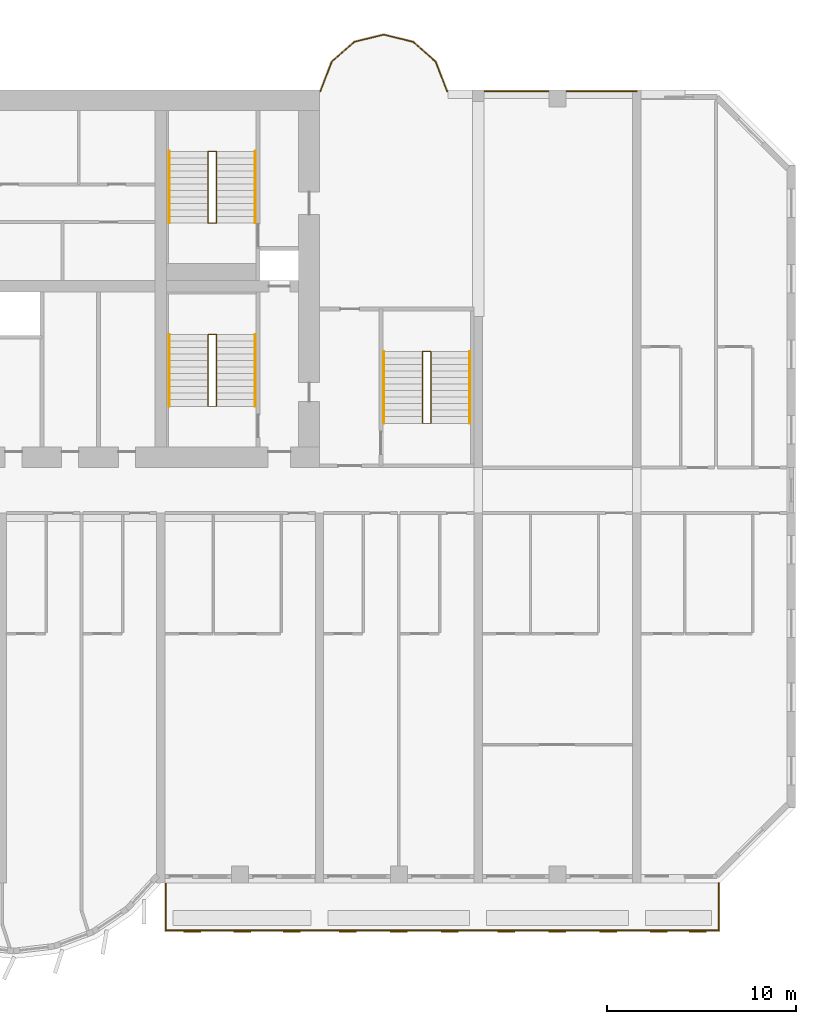
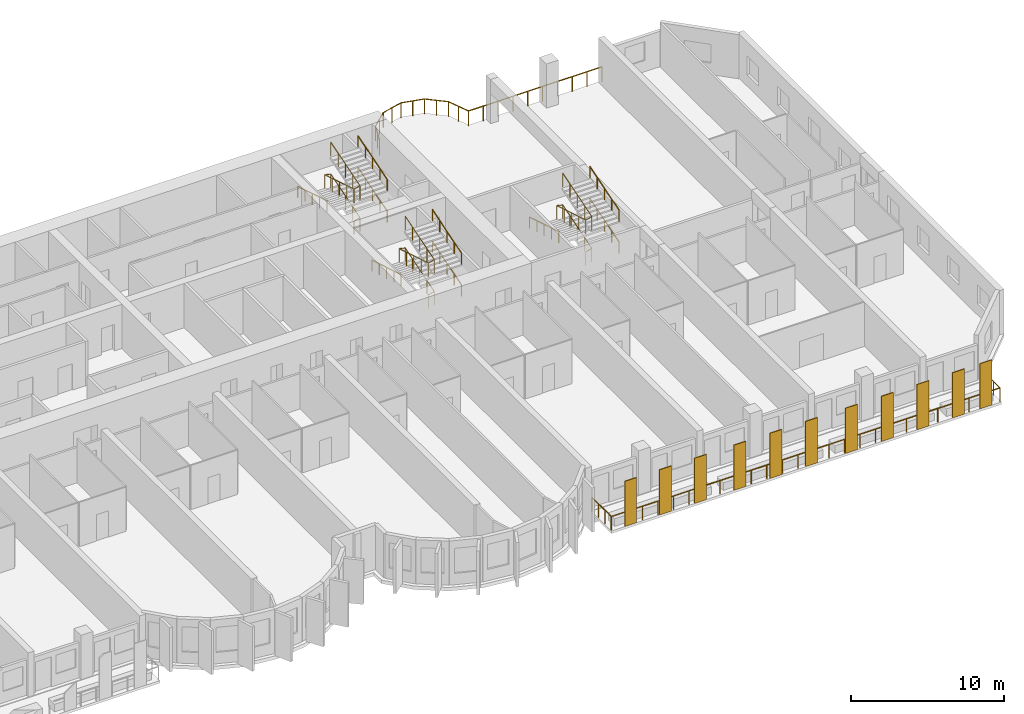
# One storey, part 13 of 14: 14 railings, 11 coverings.
"""IFC4 building model written with IfcOpenShell, lengths in metres."""

from ifc_helpers import new_model, si_unit, direction, frame, origin, origin_2d, place, context, subcontext, project, spatial, rectangle, circle, extrude, source, transform, mapped, material, layer, layer_set, type_object, element, save


model = new_model("IFC4")

# Units and contexts
model_context = context("Model", 3, precision=1e-05, world=origin(), true_north=direction((0.0, 1.0)))
body_context = subcontext(model_context, "Body", "Model", "MODEL_VIEW")
ifc_project = project(units=[si_unit("LENGTHUNIT", "METRE"), si_unit("AREAUNIT", "SQUARE_METRE"), si_unit("VOLUMEUNIT", "CUBIC_METRE"), si_unit("PLANEANGLEUNIT", "RADIAN"), si_unit("MASSUNIT", "GRAM", prefix="KILO")], contexts=[model_context])

# Site, building, storey
site_placement = place(None, origin())
site = spatial("IfcSite", under=ifc_project, at=site_placement, CompositionType="ELEMENT")
building_placement = place(site_placement, origin())
building = spatial("IfcBuilding", under=site, at=building_placement, Name="Vanashikhar Sky Hotel", CompositionType="ELEMENT")
storey_placement = place(building_placement, frame((0.0, 0.0, 43.0)))
storey = spatial("IfcBuildingStorey", under=building, at=storey_placement, Name="L09", CompositionType="ELEMENT", Elevation=43.0)

# Railing
ifc_material_1 = material(Name="Stainless steel 316", Category="steel")
railing_type_1 = type_object("IfcRailingType", Name="Balcony guard 1100", PredefinedType="GUARDRAIL", material=ifc_material_1)
shared_shape_1 = source(origin(), body_context, "Body", "SweptSolid", [
    extrude(circle(Radius=0.02392578125, at=origin_2d()), frame((0.0, 0.0, 1.076171875), z_axis=(0.0, -1.0, 0.0), x_axis=(1.0, 0.0, 0.0)), (0.0, 0.0, 1.0), 2.5),
    extrude(circle(Radius=0.02392578125, at=origin_2d()), frame((0.0, -2.5, 1.076171875), z_axis=(1.0, 0.0, 0.0), x_axis=(0.0, 1.0, 0.0)), (0.0, 0.0, 1.0), 29.280029296875),
    extrude(circle(Radius=0.02392578125, at=origin_2d()), frame((29.280029296875, -2.5, 1.076171875), z_axis=(0.0, 1.0, 0.0), x_axis=(-1.0, 0.0, 0.0)), (0.0, 0.0, 1.0), 2.5),
    extrude(circle(Radius=0.02099609375, at=origin_2d()), origin(), (0.0, 0.0, 1.0), 1.052001953125),
    extrude(circle(Radius=0.02099609375, at=origin_2d()), frame((0.0, -0.833251953125, 0.0)), (0.0, 0.0, 1.0), 1.052001953125),
    extrude(circle(Radius=0.02099609375, at=origin_2d()), frame((0.0, -1.666748046875, 0.0)), (0.0, 0.0, 1.0), 1.052001953125),
    extrude(circle(Radius=0.02099609375, at=origin_2d()), frame((0.0, -2.5, 0.0)), (0.0, 0.0, 1.0), 1.052001953125),
    extrude(circle(Radius=0.02099609375, at=origin_2d()), frame((1.171142578125, -2.5, 0.0)), (0.0, 0.0, 1.0), 1.052001953125),
    extrude(circle(Radius=0.02099609375, at=origin_2d()), frame((2.34228515625, -2.5, 0.0)), (0.0, 0.0, 1.0), 1.052001953125),
    extrude(circle(Radius=0.02099609375, at=origin_2d()), frame((3.513671875, -2.5, 0.0)), (0.0, 0.0, 1.0), 1.052001953125),
    extrude(circle(Radius=0.02099609375, at=origin_2d()), frame((4.684814453125, -2.5, 0.0)), (0.0, 0.0, 1.0), 1.052001953125),
    extrude(circle(Radius=0.02099609375, at=origin_2d()), frame((5.85595703125, -2.5, 0.0)), (0.0, 0.0, 1.0), 1.052001953125),
    extrude(circle(Radius=0.02099609375, at=origin_2d()), frame((7.027099609375, -2.5, 0.0)), (0.0, 0.0, 1.0), 1.052001953125),
    extrude(circle(Radius=0.02099609375, at=origin_2d()), frame((8.198486328125, -2.5, 0.0)), (0.0, 0.0, 1.0), 1.052001953125),
    extrude(circle(Radius=0.02099609375, at=origin_2d()), frame((9.36962890625, -2.5, 0.0)), (0.0, 0.0, 1.0), 1.052001953125),
    extrude(circle(Radius=0.02099609375, at=origin_2d()), frame((10.540771484375, -2.5, 0.0)), (0.0, 0.0, 1.0), 1.052001953125),
    extrude(circle(Radius=0.02099609375, at=origin_2d()), frame((11.7119140625, -2.5, 0.0)), (0.0, 0.0, 1.0), 1.052001953125),
    extrude(circle(Radius=0.02099609375, at=origin_2d()), frame((12.88330078125, -2.5, 0.0)), (0.0, 0.0, 1.0), 1.052001953125),
    extrude(circle(Radius=0.02099609375, at=origin_2d()), frame((14.054443359375, -2.5, 0.0)), (0.0, 0.0, 1.0), 1.052001953125),
    extrude(circle(Radius=0.02099609375, at=origin_2d()), frame((15.2255859375, -2.5, 0.0)), (0.0, 0.0, 1.0), 1.052001953125),
    extrude(circle(Radius=0.02099609375, at=origin_2d()), frame((16.396728515625, -2.5, 0.0)), (0.0, 0.0, 1.0), 1.052001953125),
    extrude(circle(Radius=0.02099609375, at=origin_2d()), frame((17.568115234375, -2.5, 0.0)), (0.0, 0.0, 1.0), 1.052001953125),
    extrude(circle(Radius=0.02099609375, at=origin_2d()), frame((18.7392578125, -2.5, 0.0)), (0.0, 0.0, 1.0), 1.052001953125),
    extrude(circle(Radius=0.02099609375, at=origin_2d()), frame((19.910400390625, -2.5, 0.0)), (0.0, 0.0, 1.0), 1.052001953125),
    extrude(circle(Radius=0.02099609375, at=origin_2d()), frame((21.08154296875, -2.5, 0.0)), (0.0, 0.0, 1.0), 1.052001953125),
    extrude(circle(Radius=0.02099609375, at=origin_2d()), frame((22.2529296875, -2.5, 0.0)), (0.0, 0.0, 1.0), 1.052001953125),
    extrude(circle(Radius=0.02099609375, at=origin_2d()), frame((23.424072265625, -2.5, 0.0)), (0.0, 0.0, 1.0), 1.052001953125),
    extrude(circle(Radius=0.02099609375, at=origin_2d()), frame((24.59521484375, -2.5, 0.0)), (0.0, 0.0, 1.0), 1.052001953125),
    extrude(circle(Radius=0.02099609375, at=origin_2d()), frame((25.766357421875, -2.5, 0.0)), (0.0, 0.0, 1.0), 1.052001953125),
    extrude(circle(Radius=0.02099609375, at=origin_2d()), frame((26.937744140625, -2.5, 0.0)), (0.0, 0.0, 1.0), 1.052001953125),
    extrude(circle(Radius=0.02099609375, at=origin_2d()), frame((28.10888671875, -2.5, 0.0)), (0.0, 0.0, 1.0), 1.052001953125),
    extrude(circle(Radius=0.02099609375, at=origin_2d()), frame((29.280029296875, -2.5, 0.0)), (0.0, 0.0, 1.0), 1.052001953125),
    extrude(circle(Radius=0.02099609375, at=origin_2d()), frame((29.280029296875, -1.666748046875, 0.0)), (0.0, 0.0, 1.0), 1.052001953125),
    extrude(circle(Radius=0.02099609375, at=origin_2d()), frame((29.280029296875, -0.833251953125, 0.0)), (0.0, 0.0, 1.0), 1.052001953125),
    extrude(circle(Radius=0.02099609375, at=origin_2d()), frame((29.280029296875, 0.0, 0.0)), (0.0, 0.0, 1.0), 1.052001953125),
])
railing_1_placement = place(storey_placement, frame((67.4599609375, 0.0, -0.050048828125)))
element("IfcRailing", 1, at=railing_1_placement, inside=storey, type_object=railing_type_1, Name="Balcony guard", PredefinedType="GUARDRAIL", context=body_context, shape_type="MappedRepresentation", body=[
    mapped(shared_shape_1, transform((0.0, 0.0, 0.0), scale=1.0)),
])

# Coverings
ifc_material_2 = material(Name="Terracotta", Category="masonry")
ifc_layer = layer(ifc_material_2, 0.06005859375)
ifc_layer_set = layer_set([ifc_layer], Name="Terracotta baguette screen")
covering_type = type_object("IfcCoveringType", Name="Terracotta baguette screen", PredefinedType="CLADDING", material=ifc_layer_set)
shared_shape_2 = source(origin(), body_context, "Body", "SweptSolid", [
    extrude(rectangle(XDim=0.89990234375, YDim=0.06005859375, at=origin_2d()), origin(), (0.0, 0.0, 1.0), 3.60009765625),
])
for number, where, z_axis, x_axis, name in (
    (2, (68.86669921875, -2.570068359375, -0.050048828125), (0.0, 0.0, 1.0), (1.0, 0.0, 0.0), "Terracotta screen"),
    (3, (71.5, -2.570068359375, -0.050048828125), (0.0, 0.0, 1.0), (1.0, 0.0, 0.0), "Terracotta screen"),
    (4, (74.13330078125, -2.570068359375, -0.050048828125), (0.0, 0.0, 1.0), (1.0, 0.0, 0.0), "Terracotta screen"),
    (5, (77.10009765625, -2.570068359375, -0.050048828125), (0.0, 0.0, 1.0), (1.0, 0.0, 0.0), "Terracotta screen"),
    (6, (79.800048828125, -2.570068359375, -0.050048828125), (0.0, 0.0, 1.0), (1.0, 0.0, 0.0), "Terracotta screen"),
    (7, (82.5, -2.570068359375, -0.050048828125), (0.0, 0.0, 1.0), (1.0, 0.0, 0.0), "Terracotta screen"),
    (8, (85.5, -2.570068359375, -0.050048828125), (0.0, 0.0, 1.0), (1.0, 0.0, 0.0), "Terracotta screen"),
    (9, (88.199951171875, -2.570068359375, -0.050048828125), (0.0, 0.0, 1.0), (1.0, 0.0, 0.0), "Terracotta screen"),
    (10, (90.89990234375, -2.570068359375, -0.050048828125), (0.0, 0.0, 1.0), (1.0, 0.0, 0.0), "Terracotta screen"),
    (11, (93.574951171875, -2.570068359375, -0.050048828125), (0.0, 0.0, 1.0), (1.0, 0.0, 0.0), "Terracotta screen"),
    (12, (95.625, -2.570068359375, -0.050048828125), (0.0, 0.0, 1.0), (1.0, 0.0, 0.0), "Terracotta screen"),
):
    element("IfcCovering", number, at=place(storey_placement, frame(where, z_axis=z_axis, x_axis=x_axis)), inside=storey, type_object=covering_type, Name=name, PredefinedType="CLADDING", context=body_context, shape_type="MappedRepresentation", body=[
        mapped(shared_shape_2, transform((0.0, 0.0, 0.0), scale=1.0)),
    ])

# Railings
railing_type_2 = type_object("IfcRailingType", Name="Refuge terrace guard 1200", PredefinedType="GUARDRAIL", material=ifc_material_1)
shared_shape_3 = source(origin(), body_context, "Body", "SweptSolid", [
    extrude(circle(Radius=0.02392578125, at=origin_2d()), frame((0.0, 0.0, 1.17578125), z_axis=(-1.0, 0.0, 0.0), x_axis=(0.0, -1.0, 0.0)), (0.0, 0.0, 1.0), 10.048095703125),
    extrude(circle(Radius=0.02392578125, at=origin_2d()), frame((-10.048095703125, 0.0, 1.17578125), z_axis=(-0.357682612009, 0.933843214392, 0.0), x_axis=(-0.933843214392, -0.357682612009, 0.0)), (0.0, 0.0, 1.0), 1.666015625),
    extrude(circle(Radius=0.02392578125, at=origin_2d()), frame((-10.64404296875, 1.555908203125, 1.17578125), z_axis=(-0.749699987355, 0.661777854692, 0.0), x_axis=(-0.661777854692, -0.749699987355, 0.0)), (0.0, 0.0, 1.0), 1.602294921875),
    extrude(circle(Radius=0.02392578125, at=origin_2d()), frame((-11.84521484375, 2.6162109375, 1.17578125), z_axis=(-0.971138901218, 0.238514642196, 0.0), x_axis=(-0.238514642196, -0.971138901218, 0.0)), (0.0, 0.0, 1.0), 1.600830078125),
    extrude(circle(Radius=0.02392578125, at=origin_2d()), frame((-13.39990234375, 2.998046875, 1.17578125), z_axis=(-0.971138901218, -0.238514642196, 0.0), x_axis=(0.238514642196, -0.971138901218, 0.0)), (0.0, 0.0, 1.0), 1.600830078125),
    extrude(circle(Radius=0.02392578125, at=origin_2d()), frame((-14.95458984375, 2.6162109375, 1.17578125), z_axis=(-0.749699987355, -0.661777854692, 0.0), x_axis=(0.661777854692, -0.749699987355, 0.0)), (0.0, 0.0, 1.0), 1.602294921875),
    extrude(circle(Radius=0.02392578125, at=origin_2d()), frame((-16.15576171875, 1.555908203125, 1.17578125), z_axis=(-0.357682612009, -0.933843214392, 0.0), x_axis=(0.933843214392, -0.357682612009, 0.0)), (0.0, 0.0, 1.0), 1.666015625),
    extrude(circle(Radius=0.02099609375, at=origin_2d()), origin(), (0.0, 0.0, 1.0), 1.15185546875),
    extrude(circle(Radius=0.02099609375, at=origin_2d()), frame((-1.116455078125, 0.0, 0.0)), (0.0, 0.0, 1.0), 1.15185546875),
    extrude(circle(Radius=0.02099609375, at=origin_2d()), frame((-2.23291015625, 0.0, 0.0)), (0.0, 0.0, 1.0), 1.15185546875),
    extrude(circle(Radius=0.02099609375, at=origin_2d()), frame((-3.349365234375, 0.0, 0.0)), (0.0, 0.0, 1.0), 1.15185546875),
    extrude(circle(Radius=0.02099609375, at=origin_2d()), frame((-4.4658203125, 0.0, 0.0)), (0.0, 0.0, 1.0), 1.15185546875),
    extrude(circle(Radius=0.02099609375, at=origin_2d()), frame((-5.582275390625, 0.0, 0.0)), (0.0, 0.0, 1.0), 1.15185546875),
    extrude(circle(Radius=0.02099609375, at=origin_2d()), frame((-6.69873046875, 0.0, 0.0)), (0.0, 0.0, 1.0), 1.15185546875),
    extrude(circle(Radius=0.02099609375, at=origin_2d()), frame((-7.815185546875, 0.0, 0.0)), (0.0, 0.0, 1.0), 1.15185546875),
    extrude(circle(Radius=0.02099609375, at=origin_2d()), frame((-8.931640625, 0.0, 0.0)), (0.0, 0.0, 1.0), 1.15185546875),
    extrude(circle(Radius=0.02099609375, at=origin_2d()), frame((-10.048095703125, 0.0, 0.0)), (0.0, 0.0, 1.0), 1.15185546875),
    extrude(circle(Radius=0.02099609375, at=origin_2d()), frame((-10.34619140625, 0.77783203125, 0.0)), (0.0, 0.0, 1.0), 1.15185546875),
    extrude(circle(Radius=0.02099609375, at=origin_2d()), frame((-10.64404296875, 1.555908203125, 0.0)), (0.0, 0.0, 1.0), 1.15185546875),
    extrude(circle(Radius=0.02099609375, at=origin_2d()), frame((-11.24462890625, 2.0859375, 0.0)), (0.0, 0.0, 1.0), 1.15185546875),
    extrude(circle(Radius=0.02099609375, at=origin_2d()), frame((-11.84521484375, 2.6162109375, 0.0)), (0.0, 0.0, 1.0), 1.15185546875),
    extrude(circle(Radius=0.02099609375, at=origin_2d()), frame((-12.62255859375, 2.80712890625, 0.0)), (0.0, 0.0, 1.0), 1.15185546875),
    extrude(circle(Radius=0.02099609375, at=origin_2d()), frame((-13.39990234375, 2.998046875, 0.0)), (0.0, 0.0, 1.0), 1.15185546875),
    extrude(circle(Radius=0.02099609375, at=origin_2d()), frame((-14.17724609375, 2.80712890625, 0.0)), (0.0, 0.0, 1.0), 1.15185546875),
    extrude(circle(Radius=0.02099609375, at=origin_2d()), frame((-14.95458984375, 2.6162109375, 0.0)), (0.0, 0.0, 1.0), 1.15185546875),
    extrude(circle(Radius=0.02099609375, at=origin_2d()), frame((-15.55517578125, 2.0859375, 0.0)), (0.0, 0.0, 1.0), 1.15185546875),
    extrude(circle(Radius=0.02099609375, at=origin_2d()), frame((-16.15576171875, 1.555908203125, 0.0)), (0.0, 0.0, 1.0), 1.15185546875),
    extrude(circle(Radius=0.02099609375, at=origin_2d()), frame((-16.45361328125, 0.77783203125, 0.0)), (0.0, 0.0, 1.0), 1.15185546875),
    extrude(circle(Radius=0.02099609375, at=origin_2d()), frame((-16.751708984375, 0.0, 0.0)), (0.0, 0.0, 1.0), 1.15185546875),
])
railing_2_placement = place(storey_placement, frame((92.39990234375, 41.929931640625, 0.0)))
element("IfcRailing", 13, at=railing_2_placement, inside=storey, type_object=railing_type_2, Name="Refuge terrace guard", PredefinedType="GUARDRAIL", context=body_context, shape_type="MappedRepresentation", body=[
    mapped(shared_shape_3, transform((0.0, 0.0, 0.0), scale=1.0)),
])
ifc_material_3 = material(Name="Steel S355", Category="steel")
railing_type_3 = type_object("IfcRailingType", Name="Stair handrail 900", PredefinedType="HANDRAIL", material=ifc_material_3)
shared_shape_4 = source(origin(), body_context, "Body", "SweptSolid", [
    extrude(circle(Radius=0.02392578125, at=origin_2d()), frame((0.0, 0.0, 0.8759765625), z_axis=(0.0, 0.95635109408, 0.292220096591), x_axis=(-1.0, 0.0, 0.0)), (0.0, 0.0, 1.0), 3.973388671875),
    extrude(circle(Radius=0.02099609375, at=origin_2d()), origin(), (0.0, 0.0, 1.0), 0.851806640625),
    extrude(circle(Radius=0.02099609375, at=origin_2d()), frame((0.0, 0.949951171875, 0.290283203125)), (0.0, 0.0, 1.0), 0.851806640625),
    extrude(circle(Radius=0.02099609375, at=origin_2d()), frame((0.0, 1.89990234375, 0.58056640625)), (0.0, 0.0, 1.0), 0.851806640625),
    extrude(circle(Radius=0.02099609375, at=origin_2d()), frame((0.0, 2.85009765625, 0.870849609375)), (0.0, 0.0, 1.0), 0.851806640625),
    extrude(circle(Radius=0.02099609375, at=origin_2d()), frame((0.0, 3.800048828125, 1.1611328125)), (0.0, 0.0, 1.0), 0.851806640625),
])
for number, where, name in (
    (14, (72.199951171875, 25.25, 0.10546875), "Exit stair 2 handrail"),
    (15, (72.199951171875, 25.25, 2.638916015625), "Exit stair 2 handrail"),
    (16, (72.199951171875, 34.949951171875, 0.10546875), "Exit stair 6 handrail"),
    (17, (72.199951171875, 34.949951171875, 2.638916015625), "Exit stair 6 handrail"),
):
    element("IfcRailing", number, at=place(storey_placement, frame(where)), inside=storey, type_object=railing_type_3, Name=name, PredefinedType="HANDRAIL", context=body_context, shape_type="MappedRepresentation", body=[
        mapped(shared_shape_4, transform((0.0, 0.0, 0.0), scale=1.0)),
    ])
shared_shape_5 = source(origin(), body_context, "Body", "SweptSolid", [
    extrude(circle(Radius=0.02392578125, at=origin_2d()), frame((0.0, 0.0, 0.8759765625), z_axis=(0.0, -0.95635109408, 0.292220096591), x_axis=(1.0, 0.0, 0.0)), (0.0, 0.0, 1.0), 3.973388671875),
    extrude(circle(Radius=0.02099609375, at=origin_2d()), origin(), (0.0, 0.0, 1.0), 0.851806640625),
    extrude(circle(Radius=0.02099609375, at=origin_2d()), frame((0.0, -0.949951171875, 0.290283203125)), (0.0, 0.0, 1.0), 0.851806640625),
    extrude(circle(Radius=0.02099609375, at=origin_2d()), frame((0.0, -1.89990234375, 0.58056640625)), (0.0, 0.0, 1.0), 0.851806640625),
    extrude(circle(Radius=0.02099609375, at=origin_2d()), frame((0.0, -2.85009765625, 0.870849609375)), (0.0, 0.0, 1.0), 0.851806640625),
    extrude(circle(Radius=0.02099609375, at=origin_2d()), frame((0.0, -3.800048828125, 1.1611328125)), (0.0, 0.0, 1.0), 0.851806640625),
])
for number, where, name in (
    (18, (67.64990234375, 29.050048828125, 1.372314453125), "Exit stair 2 handrail"),
    (19, (67.64990234375, 38.75, 1.372314453125), "Exit stair 6 handrail"),
):
    element("IfcRailing", number, at=place(storey_placement, frame(where)), inside=storey, type_object=railing_type_3, Name=name, PredefinedType="HANDRAIL", context=body_context, shape_type="MappedRepresentation", body=[
        mapped(shared_shape_5, transform((0.0, 0.0, 0.0), scale=1.0)),
    ])
railing_type_4 = type_object("IfcRailingType", Name="Stair guard 1100", PredefinedType="GUARDRAIL", material=ifc_material_3)
shared_shape_6 = source(origin(), body_context, "Body", "SweptSolid", [
    extrude(circle(Radius=0.02392578125, at=origin_2d()), frame((0.0, 0.0, 1.076171875), z_axis=(0.973610808694, 0.0, 0.228214796178), x_axis=(0.0, 1.0, 0.0)), (0.0, 0.0, 1.0), 0.462158203125),
    extrude(circle(Radius=0.02392578125, at=origin_2d()), frame((0.449951171875, 0.0, 1.181640625), z_axis=(0.0, 0.95635109408, 0.292220096591), x_axis=(-1.0, 0.0, 0.0)), (0.0, 0.0, 1.0), 3.973388671875),
    extrude(circle(Radius=0.02392578125, at=origin_2d()), frame((0.449951171875, 3.800048828125, 2.3427734375), z_axis=(-0.973493315427, 0.0, 0.228715466945), x_axis=(0.0, -1.0, 0.0)), (0.0, 0.0, 1.0), 0.462158203125),
    extrude(circle(Radius=0.02392578125, at=origin_2d()), frame((0.0, 3.800048828125, 2.4482421875), z_axis=(0.0, -0.95635109408, 0.292220096591), x_axis=(1.0, 0.0, 0.0)), (0.0, 0.0, 1.0), 3.973388671875),
    extrude(circle(Radius=0.02392578125, at=origin_2d()), frame((0.0, 0.0, 3.609375), z_axis=(0.973610808694, 0.0, 0.228214796178), x_axis=(0.0, 1.0, 0.0)), (0.0, 0.0, 1.0), 0.462158203125),
    extrude(circle(Radius=0.02392578125, at=origin_2d()), frame((0.449951171875, 0.0, 3.71484375), z_axis=(0.0, 0.95635109408, 0.292220096591), x_axis=(-1.0, 0.0, 0.0)), (0.0, 0.0, 1.0), 3.973388671875),
    extrude(circle(Radius=0.02099609375, at=origin_2d()), origin(), (0.0, 0.0, 1.0), 1.052001953125),
    extrude(circle(Radius=0.02099609375, at=origin_2d()), frame((0.449951171875, 0.0, 0.10546875)), (0.0, 0.0, 1.0), 1.052001953125),
    extrude(circle(Radius=0.02099609375, at=origin_2d()), frame((0.449951171875, 0.949951171875, 0.395751953125)), (0.0, 0.0, 1.0), 1.052001953125),
    extrude(circle(Radius=0.02099609375, at=origin_2d()), frame((0.449951171875, 1.89990234375, 0.68603515625)), (0.0, 0.0, 1.0), 1.052001953125),
    extrude(circle(Radius=0.02099609375, at=origin_2d()), frame((0.449951171875, 2.85009765625, 0.976318359375)), (0.0, 0.0, 1.0), 1.052001953125),
    extrude(circle(Radius=0.02099609375, at=origin_2d()), frame((0.449951171875, 3.800048828125, 1.2666015625)), (0.0, 0.0, 1.0), 1.052001953125),
    extrude(circle(Radius=0.02099609375, at=origin_2d()), frame((0.0, 3.800048828125, 1.372314453125)), (0.0, 0.0, 1.0), 1.052001953125),
    extrude(circle(Radius=0.02099609375, at=origin_2d()), frame((0.0, 2.85009765625, 1.66259765625)), (0.0, 0.0, 1.0), 1.052001953125),
    extrude(circle(Radius=0.02099609375, at=origin_2d()), frame((0.0, 1.89990234375, 1.952880859375)), (0.0, 0.0, 1.0), 1.052001953125),
    extrude(circle(Radius=0.02099609375, at=origin_2d()), frame((0.0, 0.949951171875, 2.2431640625)), (0.0, 0.0, 1.0), 1.052001953125),
    extrude(circle(Radius=0.02099609375, at=origin_2d()), frame((0.0, 0.0, 2.533447265625)), (0.0, 0.0, 1.0), 1.052001953125),
    extrude(circle(Radius=0.02099609375, at=origin_2d()), frame((0.449951171875, 0.0, 2.638916015625)), (0.0, 0.0, 1.0), 1.052001953125),
    extrude(circle(Radius=0.02099609375, at=origin_2d()), frame((0.449951171875, 0.949951171875, 2.92919921875)), (0.0, 0.0, 1.0), 1.052001953125),
    extrude(circle(Radius=0.02099609375, at=origin_2d()), frame((0.449951171875, 1.89990234375, 3.219482421875)), (0.0, 0.0, 1.0), 1.052001953125),
    extrude(circle(Radius=0.02099609375, at=origin_2d()), frame((0.449951171875, 2.85009765625, 3.509765625)), (0.0, 0.0, 1.0), 1.052001953125),
    extrude(circle(Radius=0.02099609375, at=origin_2d()), frame((0.449951171875, 3.800048828125, 3.800048828125)), (0.0, 0.0, 1.0), 1.052001953125),
])
for number, where, name in (
    (20, (69.699951171875, 25.25, 0.0), "Exit stair 2 guard"),
    (21, (69.699951171875, 34.949951171875, 0.0), "Exit stair 6 guard"),
):
    element("IfcRailing", number, at=place(storey_placement, frame(where)), inside=storey, type_object=railing_type_4, Name=name, PredefinedType="GUARDRAIL", context=body_context, shape_type="MappedRepresentation", body=[
        mapped(shared_shape_6, transform((0.0, 0.0, 0.0), scale=1.0)),
    ])
shared_shape_7 = source(origin(), body_context, "Body", "SweptSolid", [
    extrude(circle(Radius=0.02392578125, at=origin_2d()), frame((0.0, 0.0, 0.8759765625), z_axis=(0.0, 0.956345846891, 0.292237268557), x_axis=(-1.0, 0.0, 0.0)), (0.0, 0.0, 1.0), 3.97314453125),
    extrude(circle(Radius=0.02099609375, at=origin_2d()), origin(), (0.0, 0.0, 1.0), 0.851806640625),
    extrude(circle(Radius=0.02099609375, at=origin_2d()), frame((0.0, 0.949951171875, 0.290283203125)), (0.0, 0.0, 1.0), 0.851806640625),
    extrude(circle(Radius=0.02099609375, at=origin_2d()), frame((0.0, 1.89990234375, 0.58056640625)), (0.0, 0.0, 1.0), 0.851806640625),
    extrude(circle(Radius=0.02099609375, at=origin_2d()), frame((0.0, 2.849853515625, 0.870849609375)), (0.0, 0.0, 1.0), 0.851806640625),
    extrude(circle(Radius=0.02099609375, at=origin_2d()), frame((0.0, 3.7998046875, 1.1611328125)), (0.0, 0.0, 1.0), 0.851806640625),
])
for number, where, name in (
    (22, (83.550048828125, 24.35009765625, 0.10546875), "Exit stair 4 handrail"),
    (23, (83.550048828125, 24.35009765625, 2.638916015625), "Exit stair 4 handrail"),
):
    element("IfcRailing", number, at=place(storey_placement, frame(where)), inside=storey, type_object=railing_type_3, Name=name, PredefinedType="HANDRAIL", context=body_context, shape_type="MappedRepresentation", body=[
        mapped(shared_shape_7, transform((0.0, 0.0, 0.0), scale=1.0)),
    ])
shared_shape_8 = source(origin(), body_context, "Body", "SweptSolid", [
    extrude(circle(Radius=0.02392578125, at=origin_2d()), frame((0.0, 0.0, 0.8759765625), z_axis=(0.0, -0.956345846891, 0.292237268557), x_axis=(1.0, 0.0, 0.0)), (0.0, 0.0, 1.0), 3.97314453125),
    extrude(circle(Radius=0.02099609375, at=origin_2d()), origin(), (0.0, 0.0, 1.0), 0.851806640625),
    extrude(circle(Radius=0.02099609375, at=origin_2d()), frame((0.0, -0.949951171875, 0.290283203125)), (0.0, 0.0, 1.0), 0.851806640625),
    extrude(circle(Radius=0.02099609375, at=origin_2d()), frame((0.0, -1.89990234375, 0.58056640625)), (0.0, 0.0, 1.0), 0.851806640625),
    extrude(circle(Radius=0.02099609375, at=origin_2d()), frame((0.0, -2.849853515625, 0.870849609375)), (0.0, 0.0, 1.0), 0.851806640625),
    extrude(circle(Radius=0.02099609375, at=origin_2d()), frame((0.0, -3.7998046875, 1.1611328125)), (0.0, 0.0, 1.0), 0.851806640625),
])
railing_3_placement = place(storey_placement, frame((79.0, 28.14990234375, 1.372314453125)))
element("IfcRailing", 24, at=railing_3_placement, inside=storey, type_object=railing_type_3, Name="Exit stair 4 handrail", PredefinedType="HANDRAIL", context=body_context, shape_type="MappedRepresentation", body=[
    mapped(shared_shape_8, transform((0.0, 0.0, 0.0), scale=1.0)),
])
shared_shape_9 = source(origin(), body_context, "Body", "SweptSolid", [
    extrude(circle(Radius=0.02392578125, at=origin_2d()), frame((0.0, 0.0, 1.076171875), z_axis=(0.973610808694, 0.0, 0.228214796178), x_axis=(0.0, 1.0, 0.0)), (0.0, 0.0, 1.0), 0.462158203125),
    extrude(circle(Radius=0.02392578125, at=origin_2d()), frame((0.449951171875, 0.0, 1.181640625), z_axis=(0.0, 0.956345846891, 0.292237268557), x_axis=(-1.0, 0.0, 0.0)), (0.0, 0.0, 1.0), 3.97314453125),
    extrude(circle(Radius=0.02392578125, at=origin_2d()), frame((0.449951171875, 3.7998046875, 2.3427734375), z_axis=(-0.973493315427, 0.0, 0.228715466945), x_axis=(0.0, -1.0, 0.0)), (0.0, 0.0, 1.0), 0.462158203125),
    extrude(circle(Radius=0.02392578125, at=origin_2d()), frame((0.0, 3.7998046875, 2.4482421875), z_axis=(0.0, -0.956345846891, 0.292237268557), x_axis=(1.0, 0.0, 0.0)), (0.0, 0.0, 1.0), 3.97314453125),
    extrude(circle(Radius=0.02392578125, at=origin_2d()), frame((0.0, 0.0, 3.609375), z_axis=(0.973610808694, 0.0, 0.228214796178), x_axis=(0.0, 1.0, 0.0)), (0.0, 0.0, 1.0), 0.462158203125),
    extrude(circle(Radius=0.02392578125, at=origin_2d()), frame((0.449951171875, 0.0, 3.71484375), z_axis=(0.0, 0.956345846891, 0.292237268557), x_axis=(-1.0, 0.0, 0.0)), (0.0, 0.0, 1.0), 3.97314453125),
    extrude(circle(Radius=0.02099609375, at=origin_2d()), origin(), (0.0, 0.0, 1.0), 1.052001953125),
    extrude(circle(Radius=0.02099609375, at=origin_2d()), frame((0.449951171875, 0.0, 0.10546875)), (0.0, 0.0, 1.0), 1.052001953125),
    extrude(circle(Radius=0.02099609375, at=origin_2d()), frame((0.449951171875, 0.949951171875, 0.395751953125)), (0.0, 0.0, 1.0), 1.052001953125),
    extrude(circle(Radius=0.02099609375, at=origin_2d()), frame((0.449951171875, 1.89990234375, 0.68603515625)), (0.0, 0.0, 1.0), 1.052001953125),
    extrude(circle(Radius=0.02099609375, at=origin_2d()), frame((0.449951171875, 2.849853515625, 0.976318359375)), (0.0, 0.0, 1.0), 1.052001953125),
    extrude(circle(Radius=0.02099609375, at=origin_2d()), frame((0.449951171875, 3.7998046875, 1.2666015625)), (0.0, 0.0, 1.0), 1.052001953125),
    extrude(circle(Radius=0.02099609375, at=origin_2d()), frame((0.0, 3.7998046875, 1.372314453125)), (0.0, 0.0, 1.0), 1.052001953125),
    extrude(circle(Radius=0.02099609375, at=origin_2d()), frame((0.0, 2.849853515625, 1.66259765625)), (0.0, 0.0, 1.0), 1.052001953125),
    extrude(circle(Radius=0.02099609375, at=origin_2d()), frame((0.0, 1.89990234375, 1.952880859375)), (0.0, 0.0, 1.0), 1.052001953125),
    extrude(circle(Radius=0.02099609375, at=origin_2d()), frame((0.0, 0.949951171875, 2.2431640625)), (0.0, 0.0, 1.0), 1.052001953125),
    extrude(circle(Radius=0.02099609375, at=origin_2d()), frame((0.0, 0.0, 2.533447265625)), (0.0, 0.0, 1.0), 1.052001953125),
    extrude(circle(Radius=0.02099609375, at=origin_2d()), frame((0.449951171875, 0.0, 2.638916015625)), (0.0, 0.0, 1.0), 1.052001953125),
    extrude(circle(Radius=0.02099609375, at=origin_2d()), frame((0.449951171875, 0.949951171875, 2.92919921875)), (0.0, 0.0, 1.0), 1.052001953125),
    extrude(circle(Radius=0.02099609375, at=origin_2d()), frame((0.449951171875, 1.89990234375, 3.219482421875)), (0.0, 0.0, 1.0), 1.052001953125),
    extrude(circle(Radius=0.02099609375, at=origin_2d()), frame((0.449951171875, 2.849853515625, 3.509765625)), (0.0, 0.0, 1.0), 1.052001953125),
    extrude(circle(Radius=0.02099609375, at=origin_2d()), frame((0.449951171875, 3.7998046875, 3.800048828125)), (0.0, 0.0, 1.0), 1.052001953125),
])
railing_4_placement = place(storey_placement, frame((81.050048828125, 24.35009765625, 0.0)))
element("IfcRailing", 25, at=railing_4_placement, inside=storey, type_object=railing_type_4, Name="Exit stair 4 guard", PredefinedType="GUARDRAIL", context=body_context, shape_type="MappedRepresentation", body=[
    mapped(shared_shape_9, transform((0.0, 0.0, 0.0), scale=1.0)),
])

save(model, "model.ifc")
